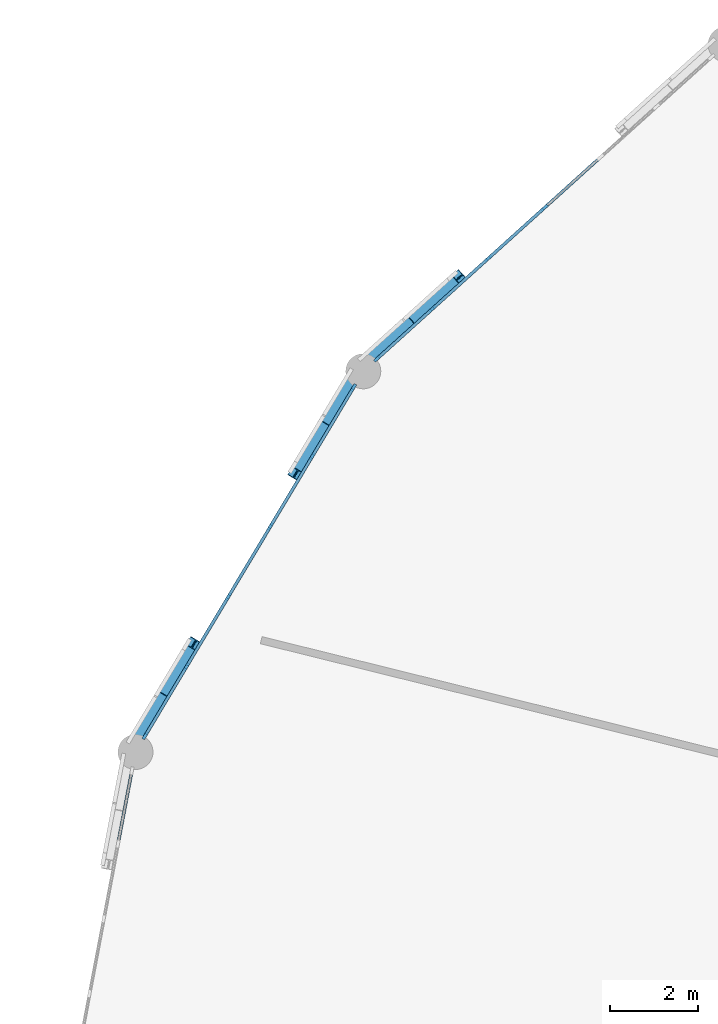
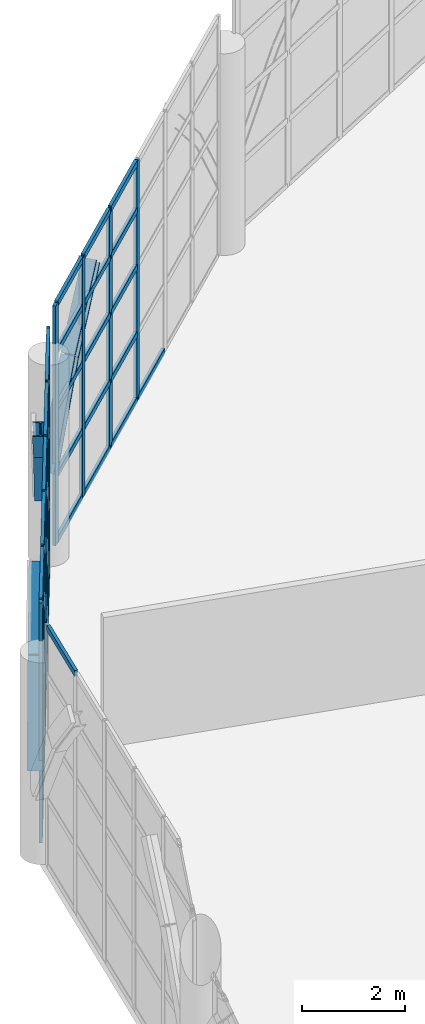
# One storey, part 36 of 109: 52 members, 6 beams, 3 elements without a shape of their own.
"""IFC4 building model written with IfcOpenShell, lengths in metres."""

from ifc_helpers import new_model, si_unit, direction, frame, origin, origin_2d, place, context, subcontext, project, spatial, rectangle, i_section, extrude, material, layer, layer_set, material_profile, profile_set, type_object, element, aggregate, save


model = new_model("IFC4")

# Units and contexts
model_context = context("Model", 3, precision=1e-05, world=origin(), true_north=direction((0.0, 1.0)))
body_context = subcontext(model_context, "Body", "Model", "MODEL_VIEW")
ifc_project = project(units=[si_unit("LENGTHUNIT", "METRE"), si_unit("AREAUNIT", "SQUARE_METRE"), si_unit("VOLUMEUNIT", "CUBIC_METRE"), si_unit("PLANEANGLEUNIT", "RADIAN"), si_unit("MASSUNIT", "GRAM", prefix="KILO")], contexts=[model_context])

# Site, building, storey
site_placement = place(None, origin())
site = spatial("IfcSite", under=ifc_project, at=site_placement, CompositionType="ELEMENT")
building_placement = place(site_placement, origin())
building = spatial("IfcBuilding", under=site, at=building_placement, Name="Kivolera Central Railway Station", CompositionType="ELEMENT")
storey_placement = place(building_placement, frame((0.0, 0.0, 9.60009765625)))
storey = spatial("IfcBuildingStorey", under=building, at=storey_placement, Name="L02", CompositionType="ELEMENT", Elevation=9.60009765625)

# Beams
ifc_material_1 = material(Name="Steel S355", Category="steel")
ifc_material_profile_1 = material_profile(ifc_material_1, i_section(OverallWidth=0.300048828125, OverallDepth=0.300048828125, WebThickness=0.010986328125, FlangeThickness=0.01904296875, FilletRadius=0.027099609375, at=origin_2d()), Name="HEB 300")
ifc_profile_set_1 = profile_set([ifc_material_profile_1], Name="Steel S355")
beam_type = type_object("IfcBeamType", Name="BM-LANT-ARCH", PredefinedType="SPANDREL", material=ifc_profile_set_1)
beam_1_placement = place(storey_placement, frame((21.160888671875, 110.14208984375, 4.9599609375), z_axis=(-0.52351035726, -0.473143471576, -0.708570505417), x_axis=(0.670516775803, -0.741894368065, 0.0)))
element("IfcBeam", 1, at=beam_1_placement, inside=storey, type_object=beam_type, Name="Oval Lantern Structural Arch Rib 10.5", PredefinedType="SPANDREL", context=body_context, shape_type="SweptSolid", body=[
    extrude(i_section(OverallWidth=0.300048828125, OverallDepth=0.300048828125, WebThickness=0.010986328125, FlangeThickness=0.01904296875, FilletRadius=0.027099609375, at=origin_2d()), origin(), (0.0, 0.0, 1.0), 1.91943359375),
])
beam_2_placement = place(storey_placement, frame((20.156005859375, 109.23388671875, 3.599853515625), z_axis=(-0.431185404632, -0.388705114828, -0.814240431653), x_axis=(0.669571929078, -0.742747219309, 0.0)))
element("IfcBeam", 2, at=beam_2_placement, inside=storey, type_object=beam_type, Name="Oval Lantern Structural Arch Rib 10.6", PredefinedType="SPANDREL", context=body_context, shape_type="SweptSolid", body=[
    extrude(i_section(OverallWidth=0.300048828125, OverallDepth=0.300048828125, WebThickness=0.010986328125, FlangeThickness=0.01904296875, FilletRadius=0.027099609375, at=origin_2d()), origin(), (0.0, 0.0, 1.0), 2.333251953125),
])
beam_3_placement = place(storey_placement, frame((18.681884765625, 107.757080078125, 1.699951171875), z_axis=(-0.277874179709, -0.464672179987, 0.840753058512), x_axis=(0.858249099835, -0.513233360794, 0.0)))
element("IfcBeam", 3, at=beam_3_placement, inside=storey, type_object=beam_type, Name="Oval Lantern Structural Arch Rib 11.1", PredefinedType="SPANDREL", context=body_context, shape_type="SweptSolid", body=[
    extrude(i_section(OverallWidth=0.300048828125, OverallDepth=0.300048828125, WebThickness=0.010986328125, FlangeThickness=0.01904296875, FilletRadius=0.027099609375, at=origin_2d()), origin(), (0.0, 0.0, 1.0), 2.259765625),
])
for number, where, z_axis, x_axis, name in (
    (4, (18.053955078125, 106.70703125, 3.599853515625), (-0.343344267824, -0.573619875132, 0.743690091776), (0.858038634745, -0.513585145116, 0.0), "Oval Lantern Structural Arch Rib 11.2"),
    (5, (15.10693359375, 101.781982421875, 4.9599609375), (-0.343344267824, -0.573619875132, -0.743690091776), (0.858038634745, -0.513585145116, 0.0), "Oval Lantern Structural Arch Rib 11.5"),
):
    element("IfcBeam", number, at=place(storey_placement, frame(where, z_axis=z_axis, x_axis=x_axis)), inside=storey, type_object=beam_type, Name=name, PredefinedType="SPANDREL", context=body_context, shape_type="SweptSolid", body=[
        extrude(i_section(OverallWidth=0.300048828125, OverallDepth=0.300048828125, WebThickness=0.010986328125, FlangeThickness=0.01904296875, FilletRadius=0.027099609375, at=origin_2d()), origin(), (0.0, 0.0, 1.0), 1.828857421875),
    ])
beam_4_placement = place(storey_placement, frame((14.47900390625, 100.73291015625, 3.599853515625), z_axis=(-0.277888129069, -0.464587463063, -0.840795264548), x_axis=(0.858196524113, -0.513321269772, 0.0)))
element("IfcBeam", 6, at=beam_4_placement, inside=storey, type_object=beam_type, Name="Oval Lantern Structural Arch Rib 11.6", PredefinedType="SPANDREL", context=body_context, shape_type="SweptSolid", body=[
    extrude(i_section(OverallWidth=0.300048828125, OverallDepth=0.300048828125, WebThickness=0.010986328125, FlangeThickness=0.01904296875, FilletRadius=0.027099609375, at=origin_2d()), origin(), (0.0, 0.0, 1.0), 2.259765625),
])

# Curtain wall, members
ifc_material_2 = material(Name="Anodised aluminium", Category="aluminium")
ifc_layer_1 = layer(ifc_material_2, 0.179931640625, Name="Anodised aluminium")
ifc_layer_set_1 = layer_set([ifc_layer_1], Name="Anodised aluminium")
curtain_wall_type_1 = type_object("IfcCurtainWallType", Name="CW-SYS-06", PredefinedType="NOTDEFINED", material=ifc_layer_set_1)
curtain_wall_1_placement = place(storey_placement, origin())
curtain_wall_1 = element("IfcCurtainWall", 7, at=curtain_wall_1_placement, inside=storey, type_object=curtain_wall_type_1, Name="L02 Curtain Wall CW-L02-OVL-09", PredefinedType="NOTDEFINED")
ifc_material_profile_2 = material_profile(ifc_material_2, rectangle(XDim=0.070068359375, YDim=0.179931640625, at=origin_2d()), Name="ALU MULL 70x180")
ifc_profile_set_2 = profile_set([ifc_material_profile_2], Name="Anodised aluminium")
member_type_1 = type_object("IfcMemberType", Name="CWM-MUL-1", PredefinedType="MULLION", material=ifc_profile_set_2)
member_1_placement = place(storey_placement, frame((19.2900390625, 108.29150390625, -0.005126953125), z_axis=(0.0, 0.0, 1.0), x_axis=(-0.66992157428, 0.742431871833, 0.0)))
member_1 = element("IfcMember", 8, at=member_1_placement, type_object=member_type_1, Name="CW-06 mullion 1", PredefinedType="MULLION", context=body_context, shape_type="SweptSolid", body=[
    extrude(rectangle(XDim=0.070068359375, YDim=0.179931640625, at=origin_2d()), origin(), (0.0, 0.0, 1.0), 5.705078125),
])
member_2_placement = place(storey_placement, frame((20.542236328125, 109.42138671875, -0.005126953125), z_axis=(0.0, 0.0, 1.0), x_axis=(-0.66992157428, 0.742431871833, 0.0)))
member_2 = element("IfcMember", 9, at=member_2_placement, type_object=member_type_1, Name="CW-06 mullion 2", PredefinedType="MULLION", context=body_context, shape_type="SweptSolid", body=[
    extrude(rectangle(XDim=0.070068359375, YDim=0.179931640625, at=origin_2d()), origin(), (0.0, 0.0, 1.0), 5.705078125),
])
member_3_placement = place(storey_placement, frame((21.8203125, 110.57470703125, -0.005126953125), z_axis=(0.0, 0.0, 1.0), x_axis=(-0.66992157428, 0.742431871833, 0.0)))
member_3 = element("IfcMember", 10, at=member_3_placement, type_object=member_type_1, Name="CW-06 mullion 3", PredefinedType="MULLION", context=body_context, shape_type="SweptSolid", body=[
    extrude(rectangle(XDim=0.070068359375, YDim=0.179931640625, at=origin_2d()), origin(), (0.0, 0.0, 1.0), 5.705078125),
])
member_4_placement = place(storey_placement, frame((23.098388671875, 111.72802734375, -0.005126953125), z_axis=(0.0, 0.0, 1.0), x_axis=(-0.66992157428, 0.742431871833, 0.0)))
member_4 = element("IfcMember", 11, at=member_4_placement, type_object=member_type_1, Name="CW-06 mullion 4", PredefinedType="MULLION", context=body_context, shape_type="SweptSolid", body=[
    extrude(rectangle(XDim=0.070068359375, YDim=0.179931640625, at=origin_2d()), origin(), (0.0, 0.0, 1.0), 5.705078125),
])

ifc_layer_2 = layer(ifc_material_2, 0.179931640625, Name="Anodised aluminium")
ifc_layer_set_2 = layer_set([ifc_layer_2], Name="Anodised aluminium")
curtain_wall_type_2 = type_object("IfcCurtainWallType", Name="CW-SYS-03", PredefinedType="NOTDEFINED", material=ifc_layer_set_2)
curtain_wall_2_placement = place(storey_placement, origin())
curtain_wall_2 = element("IfcCurtainWall", 12, at=curtain_wall_2_placement, inside=storey, type_object=curtain_wall_type_2, Name="L02 Curtain Wall CW-L02-OVL-10", PredefinedType="NOTDEFINED")
member_5_placement = place(storey_placement, frame((13.994873046875, 99.68994140625, -0.005126953125), z_axis=(0.0, 0.0, 1.0), x_axis=(-0.858117186396, 0.513453887327, 0.0)))
member_5 = element("IfcMember", 13, at=member_5_placement, type_object=member_type_1, Name="CW-03 mullion 1", PredefinedType="MULLION", context=body_context, shape_type="SweptSolid", body=[
    extrude(rectangle(XDim=0.070068359375, YDim=0.179931640625, at=origin_2d()), origin(), (0.0, 0.0, 1.0), 5.705078125),
])
member_6_placement = place(storey_placement, frame((14.93408203125, 101.259521484375, -0.005126953125), z_axis=(0.0, 0.0, 1.0), x_axis=(-0.858117186396, 0.513453887327, 0.0)))
member_6 = element("IfcMember", 14, at=member_6_placement, type_object=member_type_1, Name="CW-03 mullion 2", PredefinedType="MULLION", context=body_context, shape_type="SweptSolid", body=[
    extrude(rectangle(XDim=0.070068359375, YDim=0.179931640625, at=origin_2d()), origin(), (0.0, 0.0, 1.0), 5.705078125),
])
member_7_placement = place(storey_placement, frame((15.89111328125, 102.85888671875, -0.005126953125), z_axis=(0.0, 0.0, 1.0), x_axis=(-0.858117186396, 0.513453887327, 0.0)))
member_7 = element("IfcMember", 15, at=member_7_placement, type_object=member_type_1, Name="CW-03 mullion 3", PredefinedType="MULLION", context=body_context, shape_type="SweptSolid", body=[
    extrude(rectangle(XDim=0.070068359375, YDim=0.179931640625, at=origin_2d()), origin(), (0.0, 0.0, 1.0), 5.705078125),
])
member_8_placement = place(storey_placement, frame((16.847900390625, 104.458251953125, -0.005126953125), z_axis=(0.0, 0.0, 1.0), x_axis=(-0.858117186396, 0.513453887327, 0.0)))
member_8 = element("IfcMember", 16, at=member_8_placement, type_object=member_type_1, Name="CW-03 mullion 4", PredefinedType="MULLION", context=body_context, shape_type="SweptSolid", body=[
    extrude(rectangle(XDim=0.070068359375, YDim=0.179931640625, at=origin_2d()), origin(), (0.0, 0.0, 1.0), 5.705078125),
])
member_9_placement = place(storey_placement, frame((17.804931640625, 106.0576171875, -0.005126953125), z_axis=(0.0, 0.0, 1.0), x_axis=(-0.858117186396, 0.513453887327, 0.0)))
member_9 = element("IfcMember", 17, at=member_9_placement, type_object=member_type_1, Name="CW-03 mullion 5", PredefinedType="MULLION", context=body_context, shape_type="SweptSolid", body=[
    extrude(rectangle(XDim=0.070068359375, YDim=0.179931640625, at=origin_2d()), origin(), (0.0, 0.0, 1.0), 5.705078125),
])
member_10_placement = place(storey_placement, frame((18.744140625, 107.626953125, -0.005126953125), z_axis=(0.0, 0.0, 1.0), x_axis=(-0.858117186396, 0.513453887327, 0.0)))
member_10 = element("IfcMember", 18, at=member_10_placement, type_object=member_type_1, Name="CW-03 mullion 6", PredefinedType="MULLION", context=body_context, shape_type="SweptSolid", body=[
    extrude(rectangle(XDim=0.070068359375, YDim=0.179931640625, at=origin_2d()), origin(), (0.0, 0.0, 1.0), 5.705078125),
])

# Member
ifc_material_profile_3 = material_profile(ifc_material_2, rectangle(XDim=0.070068359375, YDim=0.139892578125, at=origin_2d()), Name="ALU TRAN 70x140")
ifc_profile_set_3 = profile_set([ifc_material_profile_3], Name="Anodised aluminium")
member_type_2 = type_object("IfcMemberType", Name="CWM-TRN-1", PredefinedType="USERDEFINED", material=ifc_profile_set_3)
member_11_placement = place(storey_placement, frame((19.31591796875, 108.31494140625, 0.034912109375), z_axis=(0.742422429893, 0.66993203804, 0.0), x_axis=(-0.66993203804, 0.742422429893, 0.0)))
member_11 = element("IfcMember", 19, at=member_11_placement, type_object=member_type_2, Name="CW-06 transom 1.1", ObjectType="TRANSOM", PredefinedType="USERDEFINED", context=body_context, shape_type="SweptSolid", body=[
    extrude(rectangle(XDim=0.070068359375, YDim=0.139892578125, at=origin_2d()), origin(), (0.0, 0.0, 1.0), 1.61669921875),
])

member_12_placement = place(storey_placement, frame((19.31591796875, 108.31494140625, 1.599853515625), z_axis=(0.742422429893, 0.66993203804, 0.0), x_axis=(-0.66993203804, 0.742422429893, 0.0)))
member_12 = element("IfcMember", 20, at=member_12_placement, type_object=member_type_2, Name="CW-06 transom 1.2", ObjectType="TRANSOM", PredefinedType="USERDEFINED", context=body_context, shape_type="SweptSolid", body=[
    extrude(rectangle(XDim=0.070068359375, YDim=0.139892578125, at=origin_2d()), origin(), (0.0, 0.0, 1.0), 1.61669921875),
])

member_13_placement = place(storey_placement, frame((19.31591796875, 108.31494140625, 3.199951171875), z_axis=(0.742422429893, 0.66993203804, 0.0), x_axis=(-0.66993203804, 0.742422429893, 0.0)))
member_13 = element("IfcMember", 21, at=member_13_placement, type_object=member_type_2, Name="CW-06 transom 1.3", ObjectType="TRANSOM", PredefinedType="USERDEFINED", context=body_context, shape_type="SweptSolid", body=[
    extrude(rectangle(XDim=0.070068359375, YDim=0.139892578125, at=origin_2d()), origin(), (0.0, 0.0, 1.0), 1.61669921875),
])

member_14_placement = place(storey_placement, frame((19.31591796875, 108.31494140625, 4.5498046875), z_axis=(0.742422429893, 0.66993203804, 0.0), x_axis=(-0.66993203804, 0.742422429893, 0.0)))
member_14 = element("IfcMember", 22, at=member_14_placement, type_object=member_type_2, Name="CW-06 transom 1.4", ObjectType="TRANSOM", PredefinedType="USERDEFINED", context=body_context, shape_type="SweptSolid", body=[
    extrude(rectangle(XDim=0.070068359375, YDim=0.139892578125, at=origin_2d()), origin(), (0.0, 0.0, 1.0), 1.61669921875),
])

member_15_placement = place(storey_placement, frame((19.31591796875, 108.31494140625, 5.664794921875), z_axis=(0.742422429893, 0.66993203804, 0.0), x_axis=(-0.66993203804, 0.742422429893, 0.0)))
member_15 = element("IfcMember", 23, at=member_15_placement, type_object=member_type_2, Name="CW-06 transom 1.5", ObjectType="TRANSOM", PredefinedType="USERDEFINED", context=body_context, shape_type="SweptSolid", body=[
    extrude(rectangle(XDim=0.070068359375, YDim=0.139892578125, at=origin_2d()), origin(), (0.0, 0.0, 1.0), 1.61669921875),
])

member_16_placement = place(storey_placement, frame((20.568115234375, 109.44482421875, 0.034912109375), z_axis=(0.74246304586, 0.669887024455, 0.0), x_axis=(-0.669887024455, 0.74246304586, 0.0)))
member_16 = element("IfcMember", 24, at=member_16_placement, type_object=member_type_2, Name="CW-06 transom 2.1", ObjectType="TRANSOM", PredefinedType="USERDEFINED", context=body_context, shape_type="SweptSolid", body=[
    extrude(rectangle(XDim=0.070068359375, YDim=0.139892578125, at=origin_2d()), origin(), (0.0, 0.0, 1.0), 1.651611328125),
])

member_17_placement = place(storey_placement, frame((20.568115234375, 109.44482421875, 1.599853515625), z_axis=(0.74246304586, 0.669887024455, 0.0), x_axis=(-0.669887024455, 0.74246304586, 0.0)))
member_17 = element("IfcMember", 25, at=member_17_placement, type_object=member_type_2, Name="CW-06 transom 2.2", ObjectType="TRANSOM", PredefinedType="USERDEFINED", context=body_context, shape_type="SweptSolid", body=[
    extrude(rectangle(XDim=0.070068359375, YDim=0.139892578125, at=origin_2d()), origin(), (0.0, 0.0, 1.0), 1.651611328125),
])

member_18_placement = place(storey_placement, frame((20.568115234375, 109.44482421875, 3.199951171875), z_axis=(0.74246304586, 0.669887024455, 0.0), x_axis=(-0.669887024455, 0.74246304586, 0.0)))
member_18 = element("IfcMember", 26, at=member_18_placement, type_object=member_type_2, Name="CW-06 transom 2.3", ObjectType="TRANSOM", PredefinedType="USERDEFINED", context=body_context, shape_type="SweptSolid", body=[
    extrude(rectangle(XDim=0.070068359375, YDim=0.139892578125, at=origin_2d()), origin(), (0.0, 0.0, 1.0), 1.651611328125),
])

member_19_placement = place(storey_placement, frame((20.568115234375, 109.44482421875, 4.5498046875), z_axis=(0.74246304586, 0.669887024455, 0.0), x_axis=(-0.669887024455, 0.74246304586, 0.0)))
member_19 = element("IfcMember", 27, at=member_19_placement, type_object=member_type_2, Name="CW-06 transom 2.4", ObjectType="TRANSOM", PredefinedType="USERDEFINED", context=body_context, shape_type="SweptSolid", body=[
    extrude(rectangle(XDim=0.070068359375, YDim=0.139892578125, at=origin_2d()), origin(), (0.0, 0.0, 1.0), 1.651611328125),
])

member_20_placement = place(storey_placement, frame((20.568115234375, 109.44482421875, 5.664794921875), z_axis=(0.74246304586, 0.669887024455, 0.0), x_axis=(-0.669887024455, 0.74246304586, 0.0)))
member_20 = element("IfcMember", 28, at=member_20_placement, type_object=member_type_2, Name="CW-06 transom 2.5", ObjectType="TRANSOM", PredefinedType="USERDEFINED", context=body_context, shape_type="SweptSolid", body=[
    extrude(rectangle(XDim=0.070068359375, YDim=0.139892578125, at=origin_2d()), origin(), (0.0, 0.0, 1.0), 1.651611328125),
])

member_21_placement = place(storey_placement, frame((21.846435546875, 110.59814453125, 0.034912109375), z_axis=(0.742396704206, 0.669960546289, 0.0), x_axis=(-0.669960546289, 0.742396704206, 0.0)))
member_21 = element("IfcMember", 29, at=member_21_placement, type_object=member_type_2, Name="CW-06 transom 3.1", ObjectType="TRANSOM", PredefinedType="USERDEFINED", context=body_context, shape_type="SweptSolid", body=[
    extrude(rectangle(XDim=0.070068359375, YDim=0.139892578125, at=origin_2d()), origin(), (0.0, 0.0, 1.0), 1.651611328125),
])

member_22_placement = place(storey_placement, frame((21.846435546875, 110.59814453125, 1.599853515625), z_axis=(0.742396704206, 0.669960546289, 0.0), x_axis=(-0.669960546289, 0.742396704206, 0.0)))
member_22 = element("IfcMember", 30, at=member_22_placement, type_object=member_type_2, Name="CW-06 transom 3.2", ObjectType="TRANSOM", PredefinedType="USERDEFINED", context=body_context, shape_type="SweptSolid", body=[
    extrude(rectangle(XDim=0.070068359375, YDim=0.139892578125, at=origin_2d()), origin(), (0.0, 0.0, 1.0), 1.651611328125),
])

member_23_placement = place(storey_placement, frame((21.846435546875, 110.59814453125, 3.199951171875), z_axis=(0.742396704206, 0.669960546289, 0.0), x_axis=(-0.669960546289, 0.742396704206, 0.0)))
member_23 = element("IfcMember", 31, at=member_23_placement, type_object=member_type_2, Name="CW-06 transom 3.3", ObjectType="TRANSOM", PredefinedType="USERDEFINED", context=body_context, shape_type="SweptSolid", body=[
    extrude(rectangle(XDim=0.070068359375, YDim=0.139892578125, at=origin_2d()), origin(), (0.0, 0.0, 1.0), 1.651611328125),
])

member_24_placement = place(storey_placement, frame((21.846435546875, 110.59814453125, 4.5498046875), z_axis=(0.742396704206, 0.669960546289, 0.0), x_axis=(-0.669960546289, 0.742396704206, 0.0)))
member_24 = element("IfcMember", 32, at=member_24_placement, type_object=member_type_2, Name="CW-06 transom 3.4", ObjectType="TRANSOM", PredefinedType="USERDEFINED", context=body_context, shape_type="SweptSolid", body=[
    extrude(rectangle(XDim=0.070068359375, YDim=0.139892578125, at=origin_2d()), origin(), (0.0, 0.0, 1.0), 1.651611328125),
])

member_25_placement = place(storey_placement, frame((21.846435546875, 110.59814453125, 5.664794921875), z_axis=(0.742396704206, 0.669960546289, 0.0), x_axis=(-0.669960546289, 0.742396704206, 0.0)))
member_25 = element("IfcMember", 33, at=member_25_placement, type_object=member_type_2, Name="CW-06 transom 3.5", ObjectType="TRANSOM", PredefinedType="USERDEFINED", context=body_context, shape_type="SweptSolid", body=[
    extrude(rectangle(XDim=0.070068359375, YDim=0.139892578125, at=origin_2d()), origin(), (0.0, 0.0, 1.0), 1.651611328125),
])

member_26_placement = place(storey_placement, frame((23.12451171875, 111.75146484375, 0.034912109375), z_axis=(0.742396704206, 0.669960546289, 0.0), x_axis=(-0.669960546289, 0.742396704206, 0.0)))
member_26 = element("IfcMember", 34, at=member_26_placement, type_object=member_type_2, Name="CW-06 transom 4.1", ObjectType="TRANSOM", PredefinedType="USERDEFINED", context=body_context, shape_type="SweptSolid", body=[
    extrude(rectangle(XDim=0.070068359375, YDim=0.139892578125, at=origin_2d()), origin(), (0.0, 0.0, 1.0), 1.651611328125),
])

aggregate(curtain_wall_1, [member_1, member_2, member_3, member_4, member_11, member_12, member_13, member_14, member_15, member_16, member_17, member_18, member_19, member_20, member_21, member_22, member_23, member_24, member_25, member_26])

member_27_placement = place(storey_placement, frame((14.012939453125, 99.719970703125, 0.034912109375), z_axis=(0.513454309114, 0.85811693402, 0.0), x_axis=(-0.85811693402, 0.513454309114, 0.0)))
member_27 = element("IfcMember", 35, at=member_27_placement, type_object=member_type_2, Name="CW-03 transom 1.1", ObjectType="TRANSOM", PredefinedType="USERDEFINED", context=body_context, shape_type="SweptSolid", body=[
    extrude(rectangle(XDim=0.070068359375, YDim=0.139892578125, at=origin_2d()), origin(), (0.0, 0.0, 1.0), 1.7587890625),
])

member_28_placement = place(storey_placement, frame((14.012939453125, 99.719970703125, 1.599853515625), z_axis=(0.513454309114, 0.85811693402, 0.0), x_axis=(-0.85811693402, 0.513454309114, 0.0)))
member_28 = element("IfcMember", 36, at=member_28_placement, type_object=member_type_2, Name="CW-03 transom 1.2", ObjectType="TRANSOM", PredefinedType="USERDEFINED", context=body_context, shape_type="SweptSolid", body=[
    extrude(rectangle(XDim=0.070068359375, YDim=0.139892578125, at=origin_2d()), origin(), (0.0, 0.0, 1.0), 1.7587890625),
])

member_29_placement = place(storey_placement, frame((14.012939453125, 99.719970703125, 3.199951171875), z_axis=(0.513454309114, 0.85811693402, 0.0), x_axis=(-0.85811693402, 0.513454309114, 0.0)))
member_29 = element("IfcMember", 37, at=member_29_placement, type_object=member_type_2, Name="CW-03 transom 1.3", ObjectType="TRANSOM", PredefinedType="USERDEFINED", context=body_context, shape_type="SweptSolid", body=[
    extrude(rectangle(XDim=0.070068359375, YDim=0.139892578125, at=origin_2d()), origin(), (0.0, 0.0, 1.0), 1.7587890625),
])

member_30_placement = place(storey_placement, frame((14.012939453125, 99.719970703125, 4.5498046875), z_axis=(0.513454309114, 0.85811693402, 0.0), x_axis=(-0.85811693402, 0.513454309114, 0.0)))
member_30 = element("IfcMember", 38, at=member_30_placement, type_object=member_type_2, Name="CW-03 transom 1.4", ObjectType="TRANSOM", PredefinedType="USERDEFINED", context=body_context, shape_type="SweptSolid", body=[
    extrude(rectangle(XDim=0.070068359375, YDim=0.139892578125, at=origin_2d()), origin(), (0.0, 0.0, 1.0), 1.7587890625),
])

member_31_placement = place(storey_placement, frame((14.012939453125, 99.719970703125, 5.664794921875), z_axis=(0.513454309114, 0.85811693402, 0.0), x_axis=(-0.85811693402, 0.513454309114, 0.0)))
member_31 = element("IfcMember", 39, at=member_31_placement, type_object=member_type_2, Name="CW-03 transom 1.5", ObjectType="TRANSOM", PredefinedType="USERDEFINED", context=body_context, shape_type="SweptSolid", body=[
    extrude(rectangle(XDim=0.070068359375, YDim=0.139892578125, at=origin_2d()), origin(), (0.0, 0.0, 1.0), 1.7587890625),
])

member_32_placement = place(storey_placement, frame((14.951904296875, 101.28955078125, 0.034912109375), z_axis=(0.513494690452, 0.858092770554, 0.0), x_axis=(-0.858092770554, 0.513494690452, 0.0)))
member_32 = element("IfcMember", 40, at=member_32_placement, type_object=member_type_2, Name="CW-03 transom 2.1", ObjectType="TRANSOM", PredefinedType="USERDEFINED", context=body_context, shape_type="SweptSolid", body=[
    extrude(rectangle(XDim=0.070068359375, YDim=0.139892578125, at=origin_2d()), origin(), (0.0, 0.0, 1.0), 1.7939453125),
])

member_33_placement = place(storey_placement, frame((14.951904296875, 101.28955078125, 1.599853515625), z_axis=(0.513494690452, 0.858092770554, 0.0), x_axis=(-0.858092770554, 0.513494690452, 0.0)))
member_33 = element("IfcMember", 41, at=member_33_placement, type_object=member_type_2, Name="CW-03 transom 2.2", ObjectType="TRANSOM", PredefinedType="USERDEFINED", context=body_context, shape_type="SweptSolid", body=[
    extrude(rectangle(XDim=0.070068359375, YDim=0.139892578125, at=origin_2d()), origin(), (0.0, 0.0, 1.0), 1.7939453125),
])

member_34_placement = place(storey_placement, frame((14.951904296875, 101.28955078125, 3.199951171875), z_axis=(0.513494690452, 0.858092770554, 0.0), x_axis=(-0.858092770554, 0.513494690452, 0.0)))
member_34 = element("IfcMember", 42, at=member_34_placement, type_object=member_type_2, Name="CW-03 transom 2.3", ObjectType="TRANSOM", PredefinedType="USERDEFINED", context=body_context, shape_type="SweptSolid", body=[
    extrude(rectangle(XDim=0.070068359375, YDim=0.139892578125, at=origin_2d()), origin(), (0.0, 0.0, 1.0), 1.7939453125),
])

member_35_placement = place(storey_placement, frame((14.951904296875, 101.28955078125, 4.5498046875), z_axis=(0.513494690452, 0.858092770554, 0.0), x_axis=(-0.858092770554, 0.513494690452, 0.0)))
member_35 = element("IfcMember", 43, at=member_35_placement, type_object=member_type_2, Name="CW-03 transom 2.4", ObjectType="TRANSOM", PredefinedType="USERDEFINED", context=body_context, shape_type="SweptSolid", body=[
    extrude(rectangle(XDim=0.070068359375, YDim=0.139892578125, at=origin_2d()), origin(), (0.0, 0.0, 1.0), 1.7939453125),
])

member_36_placement = place(storey_placement, frame((14.951904296875, 101.28955078125, 5.664794921875), z_axis=(0.513494690452, 0.858092770554, 0.0), x_axis=(-0.858092770554, 0.513494690452, 0.0)))
member_36 = element("IfcMember", 44, at=member_36_placement, type_object=member_type_2, Name="CW-03 transom 2.5", ObjectType="TRANSOM", PredefinedType="USERDEFINED", context=body_context, shape_type="SweptSolid", body=[
    extrude(rectangle(XDim=0.070068359375, YDim=0.139892578125, at=origin_2d()), origin(), (0.0, 0.0, 1.0), 1.7939453125),
])

member_37_placement = place(storey_placement, frame((15.908935546875, 102.888916015625, 0.034912109375), z_axis=(0.513494690452, 0.858092770554, 0.0), x_axis=(-0.858092770554, 0.513494690452, 0.0)))
member_37 = element("IfcMember", 45, at=member_37_placement, type_object=member_type_2, Name="CW-03 transom 3.1", ObjectType="TRANSOM", PredefinedType="USERDEFINED", context=body_context, shape_type="SweptSolid", body=[
    extrude(rectangle(XDim=0.070068359375, YDim=0.139892578125, at=origin_2d()), origin(), (0.0, 0.0, 1.0), 1.7939453125),
])

member_38_placement = place(storey_placement, frame((15.908935546875, 102.888916015625, 1.599853515625), z_axis=(0.513494690452, 0.858092770554, 0.0), x_axis=(-0.858092770554, 0.513494690452, 0.0)))
member_38 = element("IfcMember", 46, at=member_38_placement, type_object=member_type_2, Name="CW-03 transom 3.2", ObjectType="TRANSOM", PredefinedType="USERDEFINED", context=body_context, shape_type="SweptSolid", body=[
    extrude(rectangle(XDim=0.070068359375, YDim=0.139892578125, at=origin_2d()), origin(), (0.0, 0.0, 1.0), 1.7939453125),
])

member_39_placement = place(storey_placement, frame((15.908935546875, 102.888916015625, 3.199951171875), z_axis=(0.513494690452, 0.858092770554, 0.0), x_axis=(-0.858092770554, 0.513494690452, 0.0)))
member_39 = element("IfcMember", 47, at=member_39_placement, type_object=member_type_2, Name="CW-03 transom 3.3", ObjectType="TRANSOM", PredefinedType="USERDEFINED", context=body_context, shape_type="SweptSolid", body=[
    extrude(rectangle(XDim=0.070068359375, YDim=0.139892578125, at=origin_2d()), origin(), (0.0, 0.0, 1.0), 1.7939453125),
])

member_40_placement = place(storey_placement, frame((15.908935546875, 102.888916015625, 4.5498046875), z_axis=(0.513494690452, 0.858092770554, 0.0), x_axis=(-0.858092770554, 0.513494690452, 0.0)))
member_40 = element("IfcMember", 48, at=member_40_placement, type_object=member_type_2, Name="CW-03 transom 3.4", ObjectType="TRANSOM", PredefinedType="USERDEFINED", context=body_context, shape_type="SweptSolid", body=[
    extrude(rectangle(XDim=0.070068359375, YDim=0.139892578125, at=origin_2d()), origin(), (0.0, 0.0, 1.0), 1.7939453125),
])

member_41_placement = place(storey_placement, frame((15.908935546875, 102.888916015625, 5.664794921875), z_axis=(0.513494690452, 0.858092770554, 0.0), x_axis=(-0.858092770554, 0.513494690452, 0.0)))
member_41 = element("IfcMember", 49, at=member_41_placement, type_object=member_type_2, Name="CW-03 transom 3.5", ObjectType="TRANSOM", PredefinedType="USERDEFINED", context=body_context, shape_type="SweptSolid", body=[
    extrude(rectangle(XDim=0.070068359375, YDim=0.139892578125, at=origin_2d()), origin(), (0.0, 0.0, 1.0), 1.7939453125),
])

member_42_placement = place(storey_placement, frame((16.865966796875, 104.48828125, 0.034912109375), z_axis=(0.513494690452, 0.858092770554, 0.0), x_axis=(-0.858092770554, 0.513494690452, 0.0)))
member_42 = element("IfcMember", 50, at=member_42_placement, type_object=member_type_2, Name="CW-03 transom 4.1", ObjectType="TRANSOM", PredefinedType="USERDEFINED", context=body_context, shape_type="SweptSolid", body=[
    extrude(rectangle(XDim=0.070068359375, YDim=0.139892578125, at=origin_2d()), origin(), (0.0, 0.0, 1.0), 1.7939453125),
])

member_43_placement = place(storey_placement, frame((16.865966796875, 104.48828125, 1.599853515625), z_axis=(0.513494690452, 0.858092770554, 0.0), x_axis=(-0.858092770554, 0.513494690452, 0.0)))
member_43 = element("IfcMember", 51, at=member_43_placement, type_object=member_type_2, Name="CW-03 transom 4.2", ObjectType="TRANSOM", PredefinedType="USERDEFINED", context=body_context, shape_type="SweptSolid", body=[
    extrude(rectangle(XDim=0.070068359375, YDim=0.139892578125, at=origin_2d()), origin(), (0.0, 0.0, 1.0), 1.7939453125),
])

member_44_placement = place(storey_placement, frame((16.865966796875, 104.48828125, 3.199951171875), z_axis=(0.513494690452, 0.858092770554, 0.0), x_axis=(-0.858092770554, 0.513494690452, 0.0)))
member_44 = element("IfcMember", 52, at=member_44_placement, type_object=member_type_2, Name="CW-03 transom 4.3", ObjectType="TRANSOM", PredefinedType="USERDEFINED", context=body_context, shape_type="SweptSolid", body=[
    extrude(rectangle(XDim=0.070068359375, YDim=0.139892578125, at=origin_2d()), origin(), (0.0, 0.0, 1.0), 1.7939453125),
])

member_45_placement = place(storey_placement, frame((16.865966796875, 104.48828125, 4.5498046875), z_axis=(0.513494690452, 0.858092770554, 0.0), x_axis=(-0.858092770554, 0.513494690452, 0.0)))
member_45 = element("IfcMember", 53, at=member_45_placement, type_object=member_type_2, Name="CW-03 transom 4.4", ObjectType="TRANSOM", PredefinedType="USERDEFINED", context=body_context, shape_type="SweptSolid", body=[
    extrude(rectangle(XDim=0.070068359375, YDim=0.139892578125, at=origin_2d()), origin(), (0.0, 0.0, 1.0), 1.7939453125),
])

member_46_placement = place(storey_placement, frame((16.865966796875, 104.48828125, 5.664794921875), z_axis=(0.513494690452, 0.858092770554, 0.0), x_axis=(-0.858092770554, 0.513494690452, 0.0)))
member_46 = element("IfcMember", 54, at=member_46_placement, type_object=member_type_2, Name="CW-03 transom 4.5", ObjectType="TRANSOM", PredefinedType="USERDEFINED", context=body_context, shape_type="SweptSolid", body=[
    extrude(rectangle(XDim=0.070068359375, YDim=0.139892578125, at=origin_2d()), origin(), (0.0, 0.0, 1.0), 1.7939453125),
])

member_47_placement = place(storey_placement, frame((17.822998046875, 106.087646484375, 0.034912109375), z_axis=(0.513454309114, 0.85811693402, 0.0), x_axis=(-0.85811693402, 0.513454309114, 0.0)))
member_47 = element("IfcMember", 55, at=member_47_placement, type_object=member_type_2, Name="CW-03 transom 5.1", ObjectType="TRANSOM", PredefinedType="USERDEFINED", context=body_context, shape_type="SweptSolid", body=[
    extrude(rectangle(XDim=0.070068359375, YDim=0.139892578125, at=origin_2d()), origin(), (0.0, 0.0, 1.0), 1.7587890625),
])

member_48_placement = place(storey_placement, frame((17.822998046875, 106.087646484375, 1.599853515625), z_axis=(0.513454309114, 0.85811693402, 0.0), x_axis=(-0.85811693402, 0.513454309114, 0.0)))
member_48 = element("IfcMember", 56, at=member_48_placement, type_object=member_type_2, Name="CW-03 transom 5.2", ObjectType="TRANSOM", PredefinedType="USERDEFINED", context=body_context, shape_type="SweptSolid", body=[
    extrude(rectangle(XDim=0.070068359375, YDim=0.139892578125, at=origin_2d()), origin(), (0.0, 0.0, 1.0), 1.7587890625),
])

member_49_placement = place(storey_placement, frame((17.822998046875, 106.087646484375, 3.199951171875), z_axis=(0.513454309114, 0.85811693402, 0.0), x_axis=(-0.85811693402, 0.513454309114, 0.0)))
member_49 = element("IfcMember", 57, at=member_49_placement, type_object=member_type_2, Name="CW-03 transom 5.3", ObjectType="TRANSOM", PredefinedType="USERDEFINED", context=body_context, shape_type="SweptSolid", body=[
    extrude(rectangle(XDim=0.070068359375, YDim=0.139892578125, at=origin_2d()), origin(), (0.0, 0.0, 1.0), 1.7587890625),
])

member_50_placement = place(storey_placement, frame((17.822998046875, 106.087646484375, 4.5498046875), z_axis=(0.513454309114, 0.85811693402, 0.0), x_axis=(-0.85811693402, 0.513454309114, 0.0)))
member_50 = element("IfcMember", 58, at=member_50_placement, type_object=member_type_2, Name="CW-03 transom 5.4", ObjectType="TRANSOM", PredefinedType="USERDEFINED", context=body_context, shape_type="SweptSolid", body=[
    extrude(rectangle(XDim=0.070068359375, YDim=0.139892578125, at=origin_2d()), origin(), (0.0, 0.0, 1.0), 1.7587890625),
])

member_51_placement = place(storey_placement, frame((17.822998046875, 106.087646484375, 5.664794921875), z_axis=(0.513454309114, 0.85811693402, 0.0), x_axis=(-0.85811693402, 0.513454309114, 0.0)))
member_51 = element("IfcMember", 59, at=member_51_placement, type_object=member_type_2, Name="CW-03 transom 5.5", ObjectType="TRANSOM", PredefinedType="USERDEFINED", context=body_context, shape_type="SweptSolid", body=[
    extrude(rectangle(XDim=0.070068359375, YDim=0.139892578125, at=origin_2d()), origin(), (0.0, 0.0, 1.0), 1.7587890625),
])

aggregate(curtain_wall_2, [member_5, member_6, member_7, member_8, member_9, member_10, member_27, member_28, member_29, member_30, member_31, member_32, member_33, member_34, member_35, member_36, member_37, member_38, member_39, member_40, member_41, member_42, member_43, member_44, member_45, member_46, member_47, member_48, member_49, member_50, member_51])

# Curtain wall, member
ifc_layer_3 = layer(ifc_material_2, 0.179931640625, Name="Anodised aluminium")
ifc_layer_set_3 = layer_set([ifc_layer_3], Name="Anodised aluminium")
curtain_wall_type_3 = type_object("IfcCurtainWallType", Name="CW-SYS-15", PredefinedType="NOTDEFINED", material=ifc_layer_set_3)
curtain_wall_3_placement = place(storey_placement, origin())
curtain_wall_3 = element("IfcCurtainWall", 60, at=curtain_wall_3_placement, inside=storey, type_object=curtain_wall_type_3, Name="L02 Curtain Wall CW-L02-OVL-11", PredefinedType="NOTDEFINED")
member_52_placement = place(storey_placement, frame((13.379150390625, 97.252197265625, 5.664794921875), z_axis=(0.186727073043, 0.982411828203, 0.0), x_axis=(-0.982411828203, 0.186727073043, 0.0)))
member_52 = element("IfcMember", 61, at=member_52_placement, type_object=member_type_2, Name="CW-15 transom 5.5", ObjectType="TRANSOM", PredefinedType="USERDEFINED", context=body_context, shape_type="SweptSolid", body=[
    extrude(rectangle(XDim=0.070068359375, YDim=0.139892578125, at=origin_2d()), origin(), (0.0, 0.0, 1.0), 1.6318359375),
])
aggregate(curtain_wall_3, [member_52])

save(model, "model.ifc")
